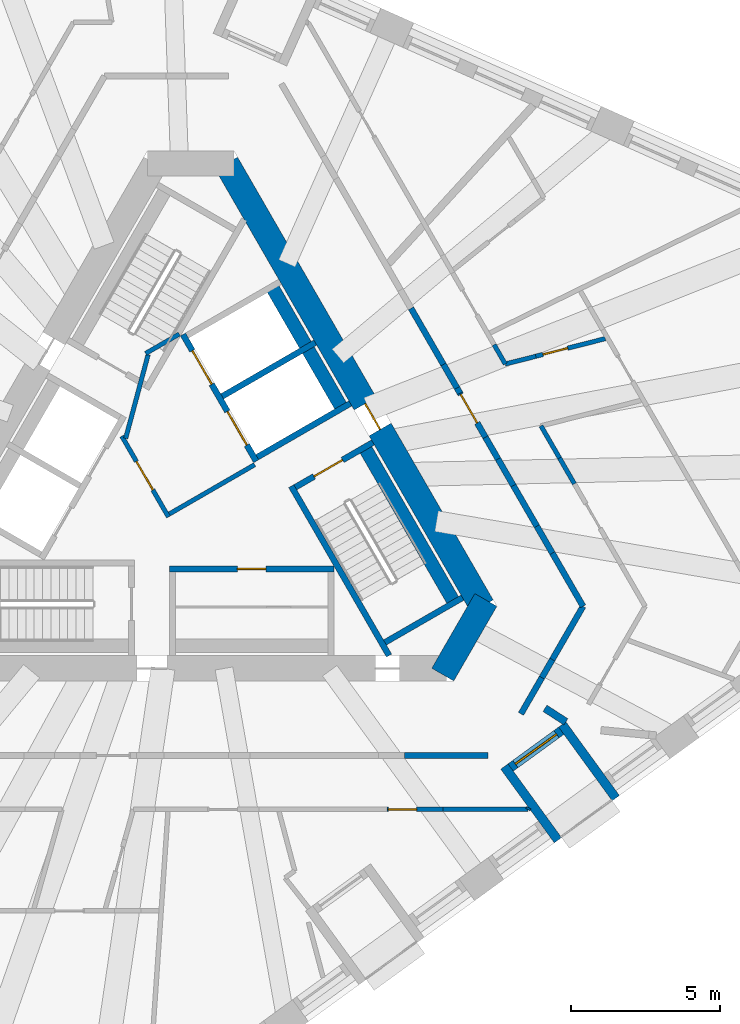
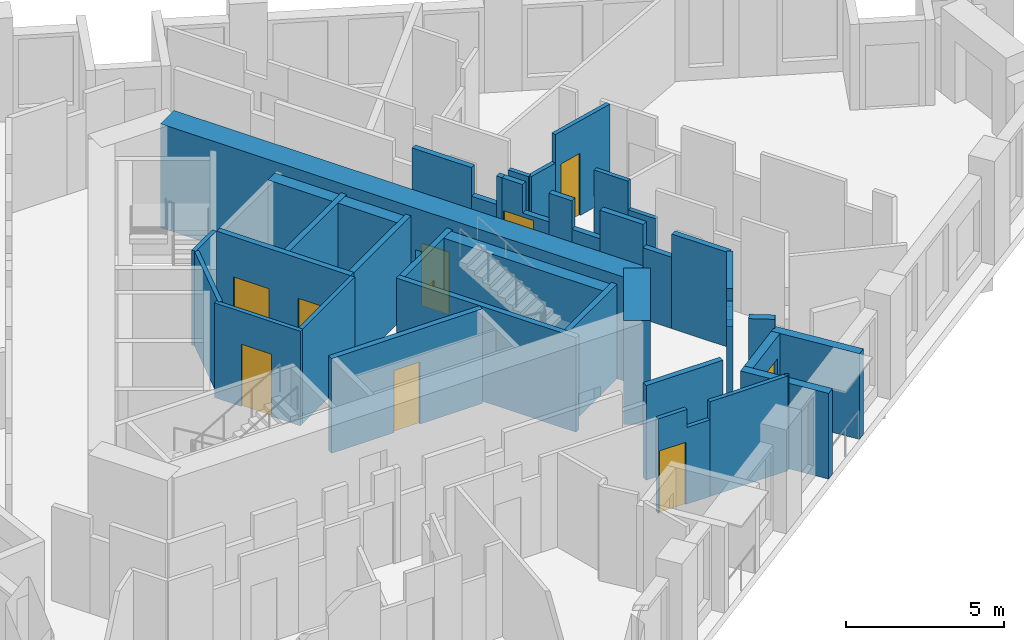
# One storey, part 5 of 14: 40 walls, 10 doors, 10 openings.
"""IFC4 building model written with IfcOpenShell, lengths in metres."""

from ifc_helpers import new_model, si_unit, direction, frame, frame_2d, origin, place, context, subcontext, project, spatial, polyline, rectangle, outline, extrude, material, layer, layer_set, type_object, element, fill, save


model = new_model("IFC4")

# Units and contexts
model_context = context("Model", 3, precision=1e-05, world=origin(), true_north=direction((0.0, 1.0)))
body_context = subcontext(model_context, "Body", "Model", "MODEL_VIEW")
ifc_project = project(units=[si_unit("LENGTHUNIT", "METRE"), si_unit("AREAUNIT", "SQUARE_METRE"), si_unit("VOLUMEUNIT", "CUBIC_METRE"), si_unit("PLANEANGLEUNIT", "RADIAN"), si_unit("MASSUNIT", "GRAM", prefix="KILO")], contexts=[model_context])

# Site, building, storey
site_placement = place(None, origin())
site = spatial("IfcSite", under=ifc_project, at=site_placement, CompositionType="ELEMENT")
building_placement = place(site_placement, origin())
building = spatial("IfcBuilding", under=site, at=building_placement, Name="Tramontana Tower", CompositionType="ELEMENT")
storey_placement = place(building_placement, frame((0.0, 0.0, 190.800048828125)))
storey = spatial("IfcBuildingStorey", under=building, at=storey_placement, Name="L44", CompositionType="ELEMENT", Elevation=190.800048828125)

# Wall
ifc_material_1 = material(Name="Concrete 70 MPa", Category="concrete")
ifc_layer_1 = layer(ifc_material_1, 0.85009765625)
ifc_layer_set_1 = layer_set([ifc_layer_1], Name="Core wall 850 70 MPa")
wall_type_1 = type_object("IfcWallType", Name="Core wall 850 70 MPa", PredefinedType="SHEAR", material=ifc_layer_set_1)
wall_1_placement = place(storey_placement, frame((8.4365234375, -6.53759765625, 0.0), z_axis=(0.0, 0.0, 1.0), x_axis=(0.499995765644, 0.866027848477, 0.0)))
element("IfcWall", 1, at=wall_1_placement, inside=storey, type_object=wall_type_1, Name="Core wall C4 L44", PredefinedType="SHEAR", context=body_context, shape_type="SweptSolid", body=[
    extrude(rectangle(XDim=2.88671875, YDim=0.85009765625, at=frame_2d((1.443359375, 0.0))), origin(), (0.0, 0.0, 1.0), 4.0),
])

# Wall, opening, door
wall_2_placement = place(storey_placement, frame((9.757080078125, -4.25, 0.0), z_axis=(0.0, 0.0, 1.0), x_axis=(-0.499995289315, 0.866028123483, 0.0)))
wall_2 = element("IfcWall", 2, at=wall_2_placement, inside=storey, type_object=wall_type_1, Name="Core wall C5 L44", PredefinedType="SHEAR", context=body_context, shape_type="SweptSolid", body=[
    extrude(rectangle(XDim=17.118408203125, YDim=0.85009765625, at=frame_2d((8.55908203125, 0.0))), origin(), (0.0, 0.0, 1.0), 4.0),
])
opening_1_placement = place(wall_2_placement, frame((6.834228515625, 0.0, 0.0)))
opening_1 = element("IfcOpeningElement", 3, at=opening_1_placement, cuts=wall_2, Name="Opening RG3", PredefinedType="OPENING", context=body_context, shape_type="SweptSolid", body=[
    extrude(rectangle(XDim=1.0, YDim=2.39990234375, at=frame_2d((0.5, 1.199951171875))), frame((0.0, 0.43505859375, 0.0), z_axis=(0.0, -1.0, 0.0), x_axis=(1.0, 0.0, 0.0)), (0.0, 0.0, 1.0), 0.8701171875),
])
ifc_material_2 = material(Name="Painted steel", Category="steel")
door_type_1 = type_object("IfcDoorType", Name="RING DOOR 1000", OperationType="SINGLE_SWING_LEFT", PredefinedType="DOOR", material=ifc_material_2)
door_1_placement = place(opening_1_placement, origin())
door_1 = element("IfcDoor", 4, at=door_1_placement, inside=storey, type_object=door_type_1, Name="Door RG3", OperationType="SINGLE_SWING_RIGHT", OverallHeight=2.39990234375, OverallWidth=1.0, PredefinedType="DOOR", context=body_context, shape_type="SweptSolid", body=[
    extrude(rectangle(XDim=1.0, YDim=2.39990234375, at=frame_2d((0.5, 1.199951171875))), frame((0.0, 0.02490234375, 0.0), z_axis=(0.0, -1.0, 0.0), x_axis=(1.0, 0.0, 0.0)), (0.0, 0.0, 1.0), 0.050048828125),
])
fill(opening_1, door_1)

# Walls
ifc_material_3 = material(Name="Blockwork", Category="masonry")
ifc_layer_2 = layer(ifc_material_3, 0.199951171875)
ifc_layer_set_2 = layer_set([ifc_layer_2], Name="ENTRY WALL 200")
wall_type_2 = type_object("IfcWallType", Name="ENTRY WALL 200", PredefinedType="SOLIDWALL", material=ifc_layer_set_2)
wall_3_placement = place(storey_placement, frame((7.37548828125, 5.725341796875, 0.0), z_axis=(0.0, 0.0, 1.0), x_axis=(0.499975720793, -0.866039420937, 0.0)))
element("IfcWall", 5, at=wall_3_placement, inside=storey, type_object=wall_type_2, Name="Wall v42-ew0-4", PredefinedType="SOLIDWALL", context=body_context, shape_type="SweptSolid", body=[
    extrude(rectangle(XDim=2.16943359375, YDim=0.199951171875, at=frame_2d((1.084716796875, 0.0))), origin(), (0.0, 0.0, 1.0), 3.64990234375),
])
wall_4_placement = place(storey_placement, frame((8.460205078125, 3.846435546875, 0.0), z_axis=(0.0, 0.0, 1.0), x_axis=(0.499977996243, -0.866038107287, 0.0)))
element("IfcWall", 6, at=wall_4_placement, inside=storey, type_object=wall_type_2, Name="Wall v42-ew0-5", PredefinedType="SOLIDWALL", context=body_context, shape_type="SweptSolid", body=[
    extrude(rectangle(XDim=0.90966796875, YDim=0.199951171875, at=frame_2d((0.454833984375, 0.0))), origin(), (0.0, 0.0, 1.0), 2.550048828125),
])
wall_5_placement = place(storey_placement, frame((8.9150390625, 3.05859375, 0.0), z_axis=(0.0, 0.0, 1.0), x_axis=(0.500074377092, -0.865982457891, 0.0)))
element("IfcWall", 7, at=wall_5_placement, inside=storey, type_object=wall_type_2, Name="Wall v42-ew0-6", PredefinedType="SOLIDWALL", context=body_context, shape_type="SweptSolid", body=[
    extrude(rectangle(XDim=0.2001953125, YDim=0.199951171875, at=frame_2d((0.10009765625, 0.0))), origin(), (0.0, 0.0, 1.0), 3.64990234375),
])

# Wall, opening, door
wall_6_placement = place(storey_placement, frame((9.01513671875, 2.88525390625, 0.0), z_axis=(0.0, 0.0, 1.0), x_axis=(0.500036553983, -0.866004298304, 0.0)))
wall_6 = element("IfcWall", 8, at=wall_6_placement, inside=storey, type_object=wall_type_2, Name="Wall v42-ew0-7", PredefinedType="SOLIDWALL", context=body_context, shape_type="SweptSolid", body=[
    extrude(outline(polyline([(0.0, 0.0), (1.704345703125, 0.0), (1.7041015625, 2.550048828125), (0.750732421875, 2.550048828125), (0.750732421875, 3.64990234375), (0.0, 3.64990234375), (0.0, 0.0)])), frame((0.0, 0.10009765625, 0.0), z_axis=(0.0, -1.0, 0.0), x_axis=(1.0, 0.0, 0.0)), (0.0, 0.0, 1.0), 0.199951171875),
])
opening_2_placement = place(wall_6_placement, frame((0.050048828125, 0.0, 0.0)))
opening_2 = element("IfcOpeningElement", 9, at=opening_2_placement, cuts=wall_6, Name="Opening B4C-21", PredefinedType="OPENING", context=body_context, shape_type="SweptSolid", body=[
    extrude(rectangle(XDim=1.10009765625, YDim=2.39990234375, at=frame_2d((0.550048828125, 1.199951171875))), frame((0.0, 0.10986328125, 0.0), z_axis=(0.0, -1.0, 0.0), x_axis=(1.0, 0.0, 0.0)), (0.0, 0.0, 1.0), 0.219970703125),
])
ifc_material_4 = material(Name="Painted timber", Category="wood")
door_type_2 = type_object("IfcDoorType", Name="DOOR ENTRY 1100", OperationType="SINGLE_SWING_LEFT", PredefinedType="DOOR", material=ifc_material_4)
door_2_placement = place(opening_2_placement, origin())
door_2 = element("IfcDoor", 10, at=door_2_placement, inside=storey, type_object=door_type_2, Name="Door B4C-21", OperationType="SINGLE_SWING_LEFT", OverallHeight=2.39990234375, OverallWidth=1.10009765625, PredefinedType="DOOR", context=body_context, shape_type="SweptSolid", body=[
    extrude(rectangle(XDim=1.10009765625, YDim=2.39990234375, at=frame_2d((0.550048828125, 1.199951171875))), frame((0.0, 0.02490234375, 0.0), z_axis=(0.0, -1.0, 0.0), x_axis=(1.0, 0.0, 0.0)), (0.0, 0.0, 1.0), 0.050048828125),
])
fill(opening_2, door_2)

# Walls
wall_7_placement = place(storey_placement, frame((9.867431640625, 1.4091796875, 0.0), z_axis=(0.0, 0.0, 1.0), x_axis=(0.499822960955, -0.8661275932, 0.0)))
element("IfcWall", 11, at=wall_7_placement, inside=storey, type_object=wall_type_2, Name="Wall v42-ew0-8", PredefinedType="SOLIDWALL", context=body_context, shape_type="SweptSolid", body=[
    extrude(rectangle(XDim=0.841064453125, YDim=0.199951171875, at=frame_2d((0.42041015625, 0.0))), origin(), (0.0, 0.0, 1.0), 3.64990234375),
])
wall_8_placement = place(storey_placement, frame((10.287841796875, 0.6806640625, 0.0), z_axis=(0.0, 0.0, 1.0), x_axis=(0.500079402778, -0.865979555715, 0.0)))
element("IfcWall", 12, at=wall_8_placement, inside=storey, type_object=wall_type_2, Name="Wall v42-ew0-9", PredefinedType="SOLIDWALL", context=body_context, shape_type="SweptSolid", body=[
    extrude(rectangle(XDim=1.026123046875, YDim=0.199951171875, at=frame_2d((0.51318359375, 0.0))), origin(), (0.0, 0.0, 1.0), 2.550048828125),
])
wall_9_placement = place(storey_placement, frame((10.801025390625, -0.2080078125, 0.0), z_axis=(0.0, 0.0, 1.0), x_axis=(0.500031717574, -0.86600709086, 0.0)))
element("IfcWall", 13, at=wall_9_placement, inside=storey, type_object=wall_type_2, Name="Wall v42-ew0-10", PredefinedType="SOLIDWALL", context=body_context, shape_type="SweptSolid", body=[
    extrude(rectangle(XDim=1.57177734375, YDim=0.199951171875, at=frame_2d((0.785888671875, 0.0))), origin(), (0.0, 0.0, 1.0), 3.64990234375),
])
wall_10_placement = place(storey_placement, frame((11.5869140625, -1.569091796875, 0.0), z_axis=(0.0, 0.0, 1.0), x_axis=(0.500054530113, -0.86599391852, 0.0)))
element("IfcWall", 14, at=wall_10_placement, inside=storey, type_object=wall_type_2, Name="Wall v42-ew0-11", PredefinedType="SOLIDWALL", context=body_context, shape_type="SweptSolid", body=[
    extrude(rectangle(XDim=1.03955078125, YDim=0.199951171875, at=frame_2d((0.519775390625, 0.0))), origin(), (0.0, 0.0, 1.0), 2.75),
])
wall_11_placement = place(storey_placement, frame((12.106689453125, -2.46923828125, 0.0), z_axis=(0.0, 0.0, 1.0), x_axis=(0.499982825521, -0.866035319247, 0.0)))
element("IfcWall", 15, at=wall_11_placement, inside=storey, type_object=wall_type_2, Name="Wall v42-ew0-12", PredefinedType="SOLIDWALL", context=body_context, shape_type="SweptSolid", body=[
    extrude(rectangle(XDim=2.05615234375, YDim=0.199951171875, at=frame_2d((1.028076171875, 0.0))), origin(), (0.0, 0.0, 1.0), 3.64990234375),
])
wall_12_placement = place(storey_placement, frame((13.134765625, -4.25, 0.0), z_axis=(0.0, 0.0, 1.0), x_axis=(-0.500030520673, -0.866007781949, 0.0)))
element("IfcWall", 16, at=wall_12_placement, inside=storey, type_object=wall_type_2, Name="Wall v42-ew1-0", PredefinedType="SOLIDWALL", context=body_context, shape_type="SweptSolid", body=[
    extrude(rectangle(XDim=2.057861328125, YDim=0.199951171875, at=frame_2d((1.02880859375, 0.0))), origin(), (0.0, 0.0, 1.0), 3.64990234375),
])
wall_13_placement = place(storey_placement, frame((12.105712890625, -6.0322265625, 0.0), z_axis=(0.0, 0.0, 1.0), x_axis=(-0.49996389635, -0.866046247233, 0.0)))
element("IfcWall", 17, at=wall_13_placement, inside=storey, type_object=wall_type_2, Name="Wall v42-ew1-1", PredefinedType="SOLIDWALL", context=body_context, shape_type="SweptSolid", body=[
    extrude(rectangle(XDim=0.7001953125, YDim=0.199951171875, at=frame_2d((0.35009765625, 0.0))), origin(), (0.0, 0.0, 1.0), 2.949951171875),
])
wall_14_placement = place(storey_placement, frame((11.755615234375, -6.638671875, 0.0), z_axis=(0.0, 0.0, 1.0), x_axis=(-0.49998411664, -0.866034573852, 0.0)))
element("IfcWall", 18, at=wall_14_placement, inside=storey, type_object=wall_type_2, Name="Wall v42-ew1-2", PredefinedType="SOLIDWALL", context=body_context, shape_type="SweptSolid", body=[
    extrude(rectangle(XDim=1.39990234375, YDim=0.199951171875, at=frame_2d((0.699951171875, 0.0))), origin(), (0.0, 0.0, 1.0), 3.64990234375),
])
wall_15_placement = place(storey_placement, frame((9.95166015625, -9.25, 0.0), z_axis=(0.0, 0.0, 1.0), x_axis=(-1.0, 0.0, 0.0)))
element("IfcWall", 19, at=wall_15_placement, inside=storey, type_object=wall_type_2, Name="Wall v42-ew2-0", PredefinedType="SOLIDWALL", context=body_context, shape_type="SweptSolid", body=[
    extrude(rectangle(XDim=2.798583984375, YDim=0.199951171875, at=frame_2d((1.3994140625, 0.0))), origin(), (0.0, 0.0, 1.0), 3.64990234375),
])

# Wall, opening, door
ifc_material_5 = material(Name="Precast concrete 60 MPa", Category="concrete")
ifc_layer_3 = layer(ifc_material_5, 0.300048828125)
ifc_layer_set_3 = layer_set([ifc_layer_3], Name="LW1 Stone-faced loggia wall 300")
wall_type_3 = type_object("IfcWallType", Name="LW1 Stone-faced loggia wall 300", PredefinedType="SOLIDWALL", material=ifc_layer_set_3)
wall_16_placement = place(storey_placement, frame((10.710205078125, -9.647216796875, 0.0), z_axis=(0.0, 0.0, 1.0), x_axis=(0.808972932648, 0.587845893277, 0.0)))
wall_16 = element("IfcWall", 20, at=wall_16_placement, inside=storey, type_object=wall_type_3, Name="Loggia wall L44 G4S1.10", PredefinedType="SOLIDWALL", context=body_context, shape_type="SweptSolid", body=[
    extrude(rectangle(XDim=2.094482421875, YDim=0.300048828125, at=frame_2d((1.04736328125, 0.0))), origin(), (0.0, 0.0, 1.0), 3.300048828125),
])
opening_3_placement = place(wall_16_placement, frame((0.197265625, 0.0, 0.0)))
opening_3 = element("IfcOpeningElement", 21, at=opening_3_placement, cuts=wall_16, Name="Opening BD-4S1-10", PredefinedType="OPENING", context=body_context, shape_type="SweptSolid", body=[
    extrude(rectangle(XDim=1.699951171875, YDim=2.449951171875, at=frame_2d((0.85009765625, 1.22509765625))), frame((0.0, 0.159912109375, 0.0), z_axis=(0.0, -1.0, 0.0), x_axis=(1.0, 0.0, 0.0)), (0.0, 0.0, 1.0), 0.320068359375),
])
ifc_material_6 = material(Name="Aluminum frame, double glazing unit", Category="aluminium")
door_type_3 = type_object("IfcDoorType", Name="BD2 Sliding door 1.7 x 2.45", OperationType="SLIDING_TO_LEFT", PredefinedType="DOOR", material=ifc_material_6)
door_3_placement = place(opening_3_placement, origin())
door_3 = element("IfcDoor", 22, at=door_3_placement, inside=storey, type_object=door_type_3, Name="Loggia door L44 G4S1.10", OperationType="SLIDING_TO_LEFT", OverallHeight=2.449951171875, OverallWidth=1.699951171875, PredefinedType="DOOR", context=body_context, shape_type="SweptSolid", body=[
    extrude(rectangle(XDim=1.699951171875, YDim=2.449951171875, at=frame_2d((0.85009765625, 1.22509765625))), frame((0.0, 0.02490234375, 0.0), z_axis=(0.0, -1.0, 0.0), x_axis=(1.0, 0.0, 0.0)), (0.0, 0.0, 1.0), 0.050048828125),
])
fill(opening_3, door_3)

# Walls
for number, where, z_axis, x_axis, name in (
    (23, (12.29345703125, -12.08154296875, 0.0), (0.0, 0.0, 1.0), (-0.587776590479, 0.80902328748, 0.0), "Loggia return L44 G4S1.10a"),
    (24, (14.23046875, -10.674072265625, 0.0), (0.0, 0.0, 1.0), (-0.587776590479, 0.80902328748, 0.0), "Loggia return L44 G4S1.10b"),
):
    element("IfcWall", number, at=place(storey_placement, frame(where, z_axis=z_axis, x_axis=x_axis)), inside=storey, type_object=wall_type_3, Name=name, PredefinedType="SOLIDWALL", context=body_context, shape_type="SweptSolid", body=[
        extrude(rectangle(XDim=3.050048828125, YDim=0.300048828125, at=frame_2d((1.52490234375, 0.0))), origin(), (0.0, 0.0, 1.0), 3.300048828125),
    ])

# Wall, opening, door
ifc_material_7 = material(Name="Gypsum board partition")
ifc_layer_4 = layer(ifc_material_7, 0.14990234375)
ifc_layer_set_4 = layer_set([ifc_layer_4], Name="PARTITION 150")
wall_type_4 = type_object("IfcWallType", Name="PARTITION 150", PredefinedType="PARTITIONING", material=ifc_layer_set_4)
wall_17_placement = place(storey_placement, frame((-0.744140625, -1.260986328125, 0.0), z_axis=(0.0, 0.0, 1.0), x_axis=(-0.500004234368, 0.866022959057, 0.0)))
wall_17 = element("IfcWall", 25, at=wall_17_placement, inside=storey, type_object=wall_type_4, Name="Wall ff-front", PredefinedType="PARTITIONING", context=body_context, shape_type="SweptSolid", body=[
    extrude(rectangle(XDim=3.125, YDim=0.14990234375, at=frame_2d((1.5625, 0.0))), origin(), (0.0, 0.0, 1.0), 3.64990234375),
])
opening_4_placement = place(wall_17_placement, frame((1.050048828125, 0.0, 0.0)))
opening_4 = element("IfcOpeningElement", 26, at=opening_4_placement, cuts=wall_17, Name="Opening FD1", PredefinedType="OPENING", context=body_context, shape_type="SweptSolid", body=[
    extrude(rectangle(XDim=1.10009765625, YDim=2.39990234375, at=frame_2d((0.550048828125, 1.199951171875))), frame((0.0, 0.0849609375, 0.0), z_axis=(0.0, -1.0, 0.0), x_axis=(1.0, 0.0, 0.0)), (0.0, 0.0, 1.0), 0.169921875),
])
door_4_placement = place(opening_4_placement, origin())
door_4 = element("IfcDoor", 27, at=door_4_placement, inside=storey, type_object=door_type_2, Name="Door FD1", OperationType="SINGLE_SWING_LEFT", OverallHeight=2.39990234375, OverallWidth=1.10009765625, PredefinedType="DOOR", context=body_context, shape_type="SweptSolid", body=[
    extrude(rectangle(XDim=1.10009765625, YDim=2.39990234375, at=frame_2d((0.550048828125, 1.199951171875))), frame((0.0, 0.02490234375, 0.0), z_axis=(0.0, -1.0, 0.0), x_axis=(1.0, 0.0, 0.0)), (0.0, 0.0, 1.0), 0.050048828125),
])
fill(opening_4, door_4)

# Walls
wall_18_placement = place(storey_placement, frame((-0.716796875, -1.15869140625, 0.0), z_axis=(0.0, 0.0, 1.0), x_axis=(0.866008176907, 0.50002983664, 0.0)))
element("IfcWall", 28, at=wall_18_placement, inside=storey, type_object=wall_type_4, Name="Wall ff-end0", PredefinedType="PARTITIONING", context=body_context, shape_type="SweptSolid", body=[
    extrude(rectangle(XDim=3.300048828125, YDim=0.14990234375, at=frame_2d((1.64990234375, 0.0))), origin(), (0.0, 0.0, 1.0), 3.64990234375),
])
wall_19_placement = place(storey_placement, frame((-2.177978515625, 1.372314453125, 0.0), z_axis=(0.0, 0.0, 1.0), x_axis=(0.258808958833, 0.96592852884, 0.0)))
element("IfcWall", 29, at=wall_19_placement, inside=storey, type_object=wall_type_4, Name="Wall ff-diag", PredefinedType="PARTITIONING", context=body_context, shape_type="SweptSolid", body=[
    extrude(rectangle(XDim=2.902587890625, YDim=0.14990234375, at=frame_2d((1.451171875, 0.0))), origin(), (0.0, 0.0, 1.0), 3.64990234375),
])
wall_20_placement = place(storey_placement, frame((-1.509765625, 4.21484375, 0.0), z_axis=(0.0, 0.0, 1.0), x_axis=(0.866085525409, 0.49989585183, 0.0)))
element("IfcWall", 30, at=wall_20_placement, inside=storey, type_object=wall_type_4, Name="Wall ff-end1", PredefinedType="PARTITIONING", context=body_context, shape_type="SweptSolid", body=[
    extrude(rectangle(XDim=1.300048828125, YDim=0.14990234375, at=frame_2d((0.64990234375, 0.0))), origin(), (0.0, 0.0, 1.0), 3.64990234375),
])
wall_21_placement = place(storey_placement, frame((10.1572265625, 4.50732421875, 0.0), z_axis=(0.0, 0.0, 1.0), x_axis=(0.499901701094, -0.866082149246, 0.0)))
element("IfcWall", 31, at=wall_21_placement, inside=storey, type_object=wall_type_4, Name="Wall v42-pw26-5", PredefinedType="PARTITIONING", context=body_context, shape_type="SweptSolid", body=[
    extrude(rectangle(XDim=0.746826171875, YDim=0.14990234375, at=frame_2d((0.37353515625, 0.0))), origin(), (0.0, 0.0, 1.0), 2.550048828125),
])
wall_22_placement = place(storey_placement, frame((10.530517578125, 3.860595703125, 0.0), z_axis=(0.0, 0.0, 1.0), x_axis=(0.969236906861, 0.246129677973, 0.0)))
element("IfcWall", 32, at=wall_22_placement, inside=storey, type_object=wall_type_4, Name="Wall v42-pw29-0", PredefinedType="PARTITIONING", context=body_context, shape_type="SweptSolid", body=[
    extrude(rectangle(XDim=1.054443359375, YDim=0.14990234375, at=frame_2d((0.52734375, 0.0))), origin(), (0.0, 0.0, 1.0), 2.550048828125),
])

# Wall, opening, door
wall_23_placement = place(storey_placement, frame((11.552490234375, 4.1201171875, 0.0), z_axis=(0.0, 0.0, 1.0), x_axis=(0.969232309968, 0.246147779423, 0.0)))
wall_23 = element("IfcWall", 33, at=wall_23_placement, inside=storey, type_object=wall_type_4, Name="Wall v42-pw29-1", PredefinedType="PARTITIONING", context=body_context, shape_type="SweptSolid", body=[
    extrude(rectangle(XDim=2.400146484375, YDim=0.14990234375, at=frame_2d((1.2001953125, 0.0))), origin(), (0.0, 0.0, 1.0), 3.64990234375),
])
opening_5_placement = place(wall_23_placement, frame((0.248046875, 0.0, 0.0)))
opening_5 = element("IfcOpeningElement", 34, at=opening_5_placement, cuts=wall_23, Name="Opening B4C-13", PredefinedType="OPENING", context=body_context, shape_type="SweptSolid", body=[
    extrude(rectangle(XDim=0.85009765625, YDim=2.39990234375, at=frame_2d((0.425048828125, 1.199951171875))), frame((0.0, 0.0849609375, 0.0), z_axis=(0.0, -1.0, 0.0), x_axis=(1.0, 0.0, 0.0)), (0.0, 0.0, 1.0), 0.169921875),
])
ifc_material_8 = material(Name="Painted timber", Category="wood")
door_type_4 = type_object("IfcDoorType", Name="DOOR BATH 850", OperationType="SINGLE_SWING_LEFT", PredefinedType="DOOR", material=ifc_material_8)
door_5_placement = place(opening_5_placement, origin())
door_5 = element("IfcDoor", 35, at=door_5_placement, inside=storey, type_object=door_type_4, Name="Door B4C-13", OperationType="SINGLE_SWING_LEFT", OverallHeight=2.39990234375, OverallWidth=0.85009765625, PredefinedType="DOOR", context=body_context, shape_type="SweptSolid", body=[
    extrude(rectangle(XDim=0.85009765625, YDim=2.39990234375, at=frame_2d((0.425048828125, 1.199951171875))), frame((0.0, 0.02490234375, 0.0), z_axis=(0.0, -1.0, 0.0), x_axis=(1.0, 0.0, 0.0)), (0.0, 0.0, 1.0), 0.050048828125),
])
fill(opening_5, door_5)

# Wall
wall_24_placement = place(storey_placement, frame((11.287109375, -11.050048828125, 0.0), z_axis=(0.0, 0.0, 1.0), x_axis=(-1.0, 0.0, 0.0)))
element("IfcWall", 36, at=wall_24_placement, inside=storey, type_object=wall_type_4, Name="Wall v42-pw31-0", PredefinedType="PARTITIONING", context=body_context, shape_type="SweptSolid", body=[
    extrude(rectangle(XDim=2.841552734375, YDim=0.14990234375, at=frame_2d((1.4208984375, 0.0))), origin(), (0.0, 0.0, 1.0), 3.64990234375),
])

# Wall, opening, door
wall_25_placement = place(storey_placement, frame((8.445556640625, -11.050048828125, 0.0), z_axis=(0.0, 0.0, 1.0), x_axis=(-1.0, 0.0, 0.0)))
wall_25 = element("IfcWall", 37, at=wall_25_placement, inside=storey, type_object=wall_type_4, Name="Wall v42-pw31-1", PredefinedType="PARTITIONING", context=body_context, shape_type="SweptSolid", body=[
    extrude(outline(polyline([(0.0, 0.0), (1.880615234375, 0.0), (1.88037109375, 3.64990234375), (0.834228515625, 3.64990234375), (0.834228515625, 2.949951171875), (0.0, 2.949951171875), (0.0, 0.0)])), frame((0.0, 0.074951171875, 0.0), z_axis=(0.0, -1.0, 0.0), x_axis=(1.0, 0.0, 0.0)), (0.0, 0.0, 1.0), 0.14990234375),
])
opening_6_placement = place(wall_25_placement, frame((0.88037109375, 0.0, 0.0)))
opening_6 = element("IfcOpeningElement", 38, at=opening_6_placement, cuts=wall_25, Name="Opening B4C-10", PredefinedType="OPENING", context=body_context, shape_type="SweptSolid", body=[
    extrude(rectangle(XDim=0.949951171875, YDim=2.39990234375, at=frame_2d((0.47509765625, 1.199951171875))), frame((0.0, 0.0849609375, 0.0), z_axis=(0.0, -1.0, 0.0), x_axis=(1.0, 0.0, 0.0)), (0.0, 0.0, 1.0), 0.169921875),
])
ifc_material_9 = material(Name="Painted timber", Category="wood")
door_type_5 = type_object("IfcDoorType", Name="DOOR ROOM 950", OperationType="SINGLE_SWING_LEFT", PredefinedType="DOOR", material=ifc_material_9)
door_6_placement = place(opening_6_placement, origin())
door_6 = element("IfcDoor", 39, at=door_6_placement, inside=storey, type_object=door_type_5, Name="Door B4C-10", OperationType="SINGLE_SWING_RIGHT", OverallHeight=2.39990234375, OverallWidth=0.949951171875, PredefinedType="DOOR", context=body_context, shape_type="SweptSolid", body=[
    extrude(rectangle(XDim=0.949951171875, YDim=2.39990234375, at=frame_2d((0.47509765625, 1.199951171875))), frame((0.0, 0.02490234375, 0.0), z_axis=(0.0, -1.0, 0.0), x_axis=(1.0, 0.0, 0.0)), (0.0, 0.0, 1.0), 0.050048828125),
])
fill(opening_6, door_6)

# Walls
wall_26_placement = place(storey_placement, frame((11.31884765625, -10.995361328125, 0.0), z_axis=(0.0, 0.0, 1.0), x_axis=(-0.500730218626, -0.865603401191, 0.0)))
element("IfcWall", 40, at=wall_26_placement, inside=storey, type_object=wall_type_4, Name="Wall v42-pw32", PredefinedType="PARTITIONING", context=body_context, shape_type="SweptSolid", body=[
    extrude(rectangle(XDim=0.06298828125, YDim=0.14990234375, at=frame_2d((0.031494140625, 0.0))), origin(), (0.0, 0.0, 1.0), 3.64990234375),
])
wall_27_placement = place(storey_placement, frame((11.725341796875, 1.791015625, 0.0), z_axis=(0.0, 0.0, 1.0), x_axis=(0.499983108224, -0.866035156036, 0.0)))
element("IfcWall", 41, at=wall_27_placement, inside=storey, type_object=wall_type_4, Name="Wall v42-pw34-0", PredefinedType="PARTITIONING", context=body_context, shape_type="SweptSolid", body=[
    extrude(rectangle(XDim=1.2431640625, YDim=0.14990234375, at=frame_2d((0.62158203125, 0.0))), origin(), (0.0, 0.0, 1.0), 3.64990234375),
])
wall_28_placement = place(storey_placement, frame((12.346923828125, 0.71435546875, 0.0), z_axis=(0.0, 0.0, 1.0), x_axis=(0.499955472713, -0.866051110099, 0.0)))
element("IfcWall", 42, at=wall_28_placement, inside=storey, type_object=wall_type_4, Name="Wall v42-pw34-1", PredefinedType="PARTITIONING", context=body_context, shape_type="SweptSolid", body=[
    extrude(rectangle(XDim=0.99755859375, YDim=0.14990234375, at=frame_2d((0.498779296875, 0.0))), origin(), (0.0, 0.0, 1.0), 2.550048828125),
])
ifc_material_10 = material(Name="Blockwork", Category="masonry")
ifc_layer_5 = layer(ifc_material_10, 0.25)
ifc_layer_set_5 = layer_set([ifc_layer_5], Name="PARTY WALL 250")
wall_type_5 = type_object("IfcWallType", Name="PARTY WALL 250", PredefinedType="SOLIDWALL", material=ifc_layer_set_5)
wall_29_placement = place(storey_placement, frame((11.85986328125, -7.66650390625, 0.0), z_axis=(0.0, 0.0, 1.0), x_axis=(0.839861138507, -0.542801315424, 0.0)))
element("IfcWall", 43, at=wall_29_placement, inside=storey, type_object=wall_type_5, Name="Wall v42-pw36", PredefinedType="SOLIDWALL", context=body_context, shape_type="SweptSolid", body=[
    extrude(rectangle(XDim=0.83251953125, YDim=0.25, at=frame_2d((0.416259765625, 0.0))), origin(), (0.0, 0.0, 1.0), 3.64990234375),
])
ifc_material_11 = material(Name="Concrete 70 MPa", Category="concrete")
ifc_layer_6 = layer(ifc_material_11, 0.449951171875)
ifc_layer_set_6 = layer_set([ifc_layer_6], Name="Concrete 70 MPa, 450 mm")
wall_type_6 = type_object("IfcWallType", Name="RC SHAFT BACK WALL 450", PredefinedType="SOLIDWALL", material=ifc_layer_set_6)
wall_30_placement = place(storey_placement, frame((8.8681640625, -4.2099609375, 0.0), z_axis=(0.0, 0.0, 1.0), x_axis=(-0.500009909098, 0.866019682689, 0.0)))
element("IfcWall", 44, at=wall_30_placement, inside=storey, type_object=wall_type_6, Name="Wall st3-back", PredefinedType="SOLIDWALL", context=body_context, shape_type="SweptSolid", body=[
    extrude(rectangle(XDim=6.199951171875, YDim=0.449951171875, at=frame_2d((3.10009765625, 0.0))), origin(), (0.0, 0.0, 1.0), 3.64990234375),
])
wall_31_placement = place(storey_placement, frame((5.113037109375, 2.2939453125, 0.0), z_axis=(0.0, 0.0, 1.0), x_axis=(-0.500002801628, 0.866023786258, 0.0)))
element("IfcWall", 45, at=wall_31_placement, inside=storey, type_object=wall_type_6, Name="Wall row2-back", PredefinedType="SOLIDWALL", context=body_context, shape_type="SweptSolid", body=[
    extrude(rectangle(XDim=4.89990234375, YDim=0.449951171875, at=frame_2d((2.449951171875, 0.0))), origin(), (0.0, 0.0, 1.0), 3.64990234375),
])
ifc_material_12 = material(Name="Concrete 70 MPa", Category="concrete")
ifc_layer_7 = layer(ifc_material_12, 0.199951171875)
ifc_layer_set_7 = layer_set([ifc_layer_7], Name="Concrete 70 MPa, 200 mm")
wall_type_7 = type_object("IfcWallType", Name="RC STAIR AND SHAFT WALL 200", PredefinedType="SOLIDWALL", material=ifc_layer_set_7)
wall_32_placement = place(storey_placement, frame((6.6396484375, -5.89990234375, 0.0), z_axis=(0.0, 0.0, 1.0), x_axis=(-0.499999959354, 0.866025427251, 0.0)))
element("IfcWall", 46, at=wall_32_placement, inside=storey, type_object=wall_type_7, Name="Wall st3-front", PredefinedType="SOLIDWALL", context=body_context, shape_type="SweptSolid", body=[
    extrude(rectangle(XDim=6.54931640625, YDim=0.199951171875, at=frame_2d((3.274658203125, 0.0))), origin(), (0.0, 0.0, 1.0), 3.64990234375),
])
wall_33_placement = place(storey_placement, frame((6.50146484375, -5.4609375, 0.0), z_axis=(0.0, 0.0, 1.0), x_axis=(0.866031096941, 0.499990139034, 0.0)))
element("IfcWall", 47, at=wall_33_placement, inside=storey, type_object=wall_type_7, Name="Wall st3-far", PredefinedType="SOLIDWALL", context=body_context, shape_type="SweptSolid", body=[
    extrude(rectangle(XDim=3.0, YDim=0.199951171875, at=frame_2d((1.5, 0.0))), origin(), (0.0, 0.0, 1.0), 3.64990234375),
])

# Wall, opening, door
wall_34_placement = place(storey_placement, frame((3.50146484375, -0.2646484375, 0.0), z_axis=(0.0, 0.0, 1.0), x_axis=(0.866031096941, 0.499990139034, 0.0)))
wall_34 = element("IfcWall", 48, at=wall_34_placement, inside=storey, type_object=wall_type_7, Name="Wall st3-near", PredefinedType="SOLIDWALL", context=body_context, shape_type="SweptSolid", body=[
    extrude(rectangle(XDim=3.0, YDim=0.199951171875, at=frame_2d((1.5, 0.0))), origin(), (0.0, 0.0, 1.0), 3.64990234375),
])
opening_7_placement = place(wall_34_placement, frame((0.72509765625, 0.0, 0.0)))
opening_7 = element("IfcOpeningElement", 49, at=opening_7_placement, cuts=wall_34, Name="Opening SD3", PredefinedType="OPENING", context=body_context, shape_type="SweptSolid", body=[
    extrude(rectangle(XDim=1.10009765625, YDim=2.39990234375, at=frame_2d((0.550048828125, 1.199951171875))), frame((0.0, 0.10986328125, 0.0), z_axis=(0.0, -1.0, 0.0), x_axis=(1.0, 0.0, 0.0)), (0.0, 0.0, 1.0), 0.219970703125),
])
ifc_material_13 = material(Name="Painted steel", Category="steel")
door_type_6 = type_object("IfcDoorType", Name="STAIR DOOR 1100", OperationType="SINGLE_SWING_LEFT", PredefinedType="DOOR", material=ifc_material_13)
door_7_placement = place(opening_7_placement, origin())
door_7 = element("IfcDoor", 50, at=door_7_placement, inside=storey, type_object=door_type_6, Name="Door SD3", OperationType="SINGLE_SWING_RIGHT", OverallHeight=2.39990234375, OverallWidth=1.10009765625, PredefinedType="DOOR", context=body_context, shape_type="SweptSolid", body=[
    extrude(rectangle(XDim=1.10009765625, YDim=2.39990234375, at=frame_2d((0.550048828125, 1.199951171875))), frame((0.0, 0.02490234375, 0.0), z_axis=(0.0, -1.0, 0.0), x_axis=(1.0, 0.0, 0.0)), (0.0, 0.0, 1.0), 0.050048828125),
])
fill(opening_7, door_7)

wall_35_placement = place(storey_placement, frame((4.7900390625, -3.0, 0.0), z_axis=(0.0, 0.0, 1.0), x_axis=(-1.0, 0.0, 0.0)))
wall_35 = element("IfcWall", 51, at=wall_35_placement, inside=storey, type_object=wall_type_7, Name="Wall row1-front", PredefinedType="SOLIDWALL", context=body_context, shape_type="SweptSolid", body=[
    extrude(rectangle(XDim=5.5, YDim=0.199951171875, at=frame_2d((2.75, 0.0))), origin(), (0.0, 0.0, 1.0), 3.64990234375),
])
opening_8_placement = place(wall_35_placement, frame((2.27490234375, 0.0, 0.0)))
opening_8 = element("IfcOpeningElement", 52, at=opening_8_placement, cuts=wall_35, Name="Opening RD-1A", PredefinedType="OPENING", context=body_context, shape_type="SweptSolid", body=[
    extrude(rectangle(XDim=0.949951171875, YDim=2.39990234375, at=frame_2d((0.47509765625, 1.199951171875))), frame((0.0, 0.10986328125, 0.0), z_axis=(0.0, -1.0, 0.0), x_axis=(1.0, 0.0, 0.0)), (0.0, 0.0, 1.0), 0.219970703125),
])
door_8_placement = place(opening_8_placement, origin())
door_8 = element("IfcDoor", 53, at=door_8_placement, inside=storey, type_object=door_type_5, Name="Door RD-1A", OperationType="SINGLE_SWING_LEFT", OverallHeight=2.39990234375, OverallWidth=0.949951171875, PredefinedType="DOOR", context=body_context, shape_type="SweptSolid", body=[
    extrude(rectangle(XDim=0.949951171875, YDim=2.39990234375, at=frame_2d((0.47509765625, 1.199951171875))), frame((0.0, 0.02490234375, 0.0), z_axis=(0.0, -1.0, 0.0), x_axis=(1.0, 0.0, 0.0)), (0.0, 0.0, 1.0), 0.050048828125),
])
fill(opening_8, door_8)

# Wall, openings, doors
wall_36_placement = place(storey_placement, frame((2.190185546875, 0.6064453125, 0.0), z_axis=(0.0, 0.0, 1.0), x_axis=(-0.500002801628, 0.866023786258, 0.0)))
wall_36 = element("IfcWall", 54, at=wall_36_placement, inside=storey, type_object=wall_type_7, Name="Wall row2-front", PredefinedType="SOLIDWALL", context=body_context, shape_type="SweptSolid", body=[
    extrude(rectangle(XDim=4.89990234375, YDim=0.199951171875, at=frame_2d((2.449951171875, 0.0))), origin(), (0.0, 0.0, 1.0), 3.64990234375),
])
opening_9_placement = place(wall_36_placement, frame((0.625, 0.0, 0.0)))
opening_9 = element("IfcOpeningElement", 55, at=opening_9_placement, cuts=wall_36, Name="Opening LD-F1", PredefinedType="OPENING", context=body_context, shape_type="SweptSolid", body=[
    extrude(rectangle(XDim=1.300048828125, YDim=2.10009765625, at=frame_2d((0.64990234375, 1.050048828125))), frame((0.0, 0.10986328125, 0.0), z_axis=(0.0, -1.0, 0.0), x_axis=(1.0, 0.0, 0.0)), (0.0, 0.0, 1.0), 0.219970703125),
])
opening_10_placement = place(wall_36_placement, frame((2.97509765625, 0.0, 0.0)))
opening_10 = element("IfcOpeningElement", 56, at=opening_10_placement, cuts=wall_36, Name="Opening LD-F2", PredefinedType="OPENING", context=body_context, shape_type="SweptSolid", body=[
    extrude(rectangle(XDim=1.300048828125, YDim=2.10009765625, at=frame_2d((0.64990234375, 1.050048828125))), frame((0.0, 0.10986328125, 0.0), z_axis=(0.0, -1.0, 0.0), x_axis=(1.0, 0.0, 0.0)), (0.0, 0.0, 1.0), 0.219970703125),
])
ifc_material_14 = material(Name="Brushed steel", Category="steel")
door_type_7 = type_object("IfcDoorType", Name="LANDING DOOR 1300", OperationType="SINGLE_SWING_LEFT", PredefinedType="DOOR", material=ifc_material_14)
door_9_placement = place(opening_9_placement, origin())
door_9 = element("IfcDoor", 57, at=door_9_placement, inside=storey, type_object=door_type_7, Name="Door LD-F1", OperationType="SLIDING_TO_LEFT", OverallHeight=2.10009765625, OverallWidth=1.300048828125, PredefinedType="DOOR", context=body_context, shape_type="SweptSolid", body=[
    extrude(rectangle(XDim=1.300048828125, YDim=2.10009765625, at=frame_2d((0.64990234375, 1.050048828125))), frame((0.0, 0.02490234375, 0.0), z_axis=(0.0, -1.0, 0.0), x_axis=(1.0, 0.0, 0.0)), (0.0, 0.0, 1.0), 0.050048828125),
])
fill(opening_9, door_9)
door_10_placement = place(opening_10_placement, origin())
door_10 = element("IfcDoor", 58, at=door_10_placement, inside=storey, type_object=door_type_7, Name="Door LD-F2", OperationType="SLIDING_TO_RIGHT", OverallHeight=2.10009765625, OverallWidth=1.300048828125, PredefinedType="DOOR", context=body_context, shape_type="SweptSolid", body=[
    extrude(rectangle(XDim=1.300048828125, YDim=2.10009765625, at=frame_2d((0.64990234375, 1.050048828125))), frame((0.0, 0.02490234375, 0.0), z_axis=(0.0, -1.0, 0.0), x_axis=(1.0, 0.0, 0.0)), (0.0, 0.0, 1.0), 0.050048828125),
])
fill(opening_10, door_10)

# Walls
for number, where, z_axis, x_axis, name in (
    (59, (2.226806640625, 0.742919921875, 0.0), (0.0, 0.0, 1.0), (0.866018442252, 0.500012057535, 0.0), "Wall row2-side0"),
    (60, (1.0517578125, 2.778076171875, 0.0), (0.0, 0.0, 1.0), (0.866018442252, 0.500012057535, 0.0), "Wall row2-side1"),
):
    element("IfcWall", number, at=place(storey_placement, frame(where, z_axis=z_axis, x_axis=x_axis)), inside=storey, type_object=wall_type_7, Name=name, PredefinedType="SOLIDWALL", context=body_context, shape_type="SweptSolid", body=[
        extrude(rectangle(XDim=3.60009765625, YDim=0.199951171875, at=frame_2d((1.800048828125, 0.0))), origin(), (0.0, 0.0, 1.0), 3.64990234375),
    ])

save(model, "model.ifc")
